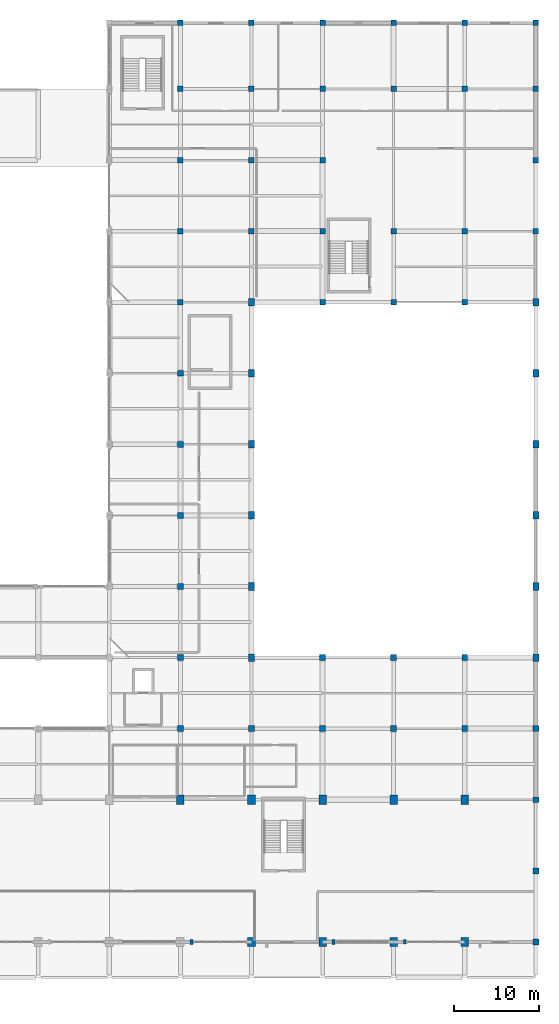
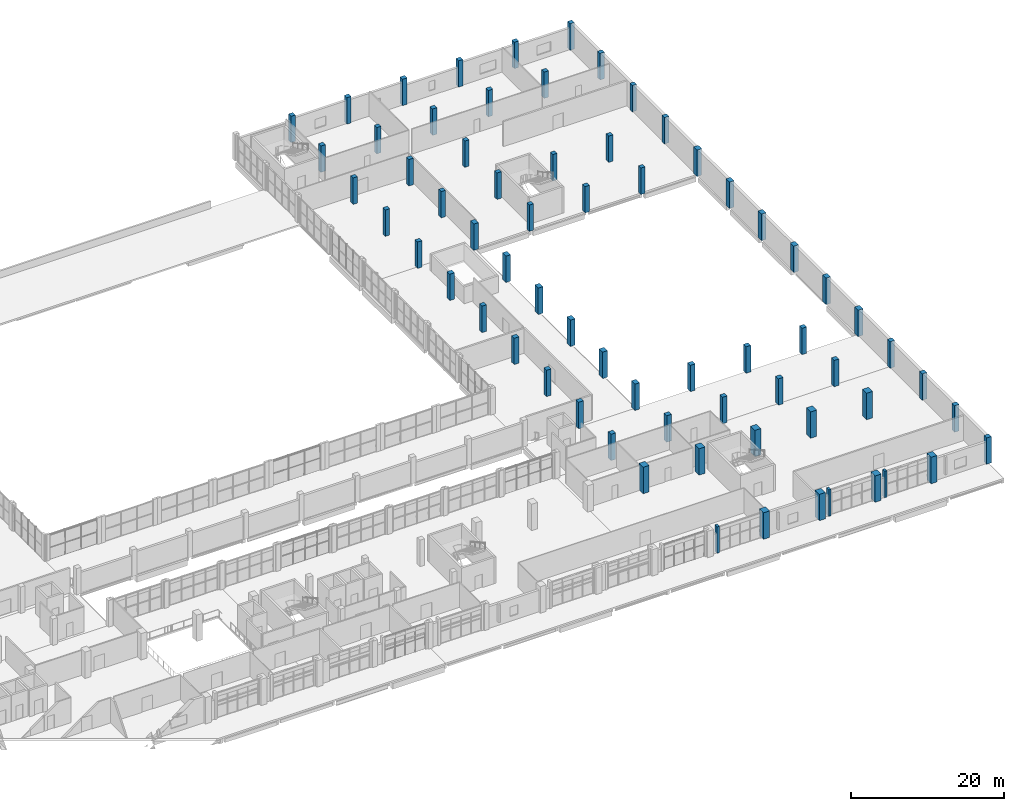
# One storey, part 8 of 59: 67 columns.
"""IFC4 building model written with IfcOpenShell, lengths in metres."""

from ifc_helpers import new_model, si_unit, derived_unit, direction, frame, origin, origin_2d, place, context, subcontext, project, spatial, rectangle, extrude, material, material_profile, profile_set, type_object, element, save


model = new_model("IFC4")

# Units and contexts
model_context = context("Model", 3, precision=1e-05, world=origin(), true_north=direction((0.0, 1.0)))
body_context = subcontext(model_context, "Body", "Model", "MODEL_VIEW")
ifc_project = project(units=[si_unit("LENGTHUNIT", "METRE"), si_unit("AREAUNIT", "SQUARE_METRE"), si_unit("VOLUMEUNIT", "CUBIC_METRE"), si_unit("PLANEANGLEUNIT", "RADIAN"), si_unit("MASSUNIT", "GRAM", prefix="KILO"), derived_unit("THERMALTRANSMITTANCEUNIT", [(si_unit("POWERUNIT", "WATT"), 1), (si_unit("LENGTHUNIT", "METRE"), -2), (si_unit("THERMODYNAMICTEMPERATUREUNIT", "KELVIN"), -1)])], contexts=[model_context])

# Site, building, storey
site_placement = place(None, origin())
site = spatial("IfcSite", under=ifc_project, at=site_placement, CompositionType="ELEMENT")
building_placement = place(site_placement, origin())
building = spatial("IfcBuilding", under=site, at=building_placement, Name="Barrovel Congress Hotel", CompositionType="ELEMENT")
storey_placement = place(building_placement, frame((0.0, 0.0, 9.89990234375)))
storey = spatial("IfcBuildingStorey", under=building, at=storey_placement, Name="L02", CompositionType="ELEMENT", Elevation=9.89990234375)

# Columns
ifc_material_1 = material(Name="Concrete C40", Category="concrete")
ifc_material_profile_1 = material_profile(ifc_material_1, rectangle(XDim=0.64990234375, YDim=0.64990234375, at=origin_2d()), Name="RC650x650")
ifc_profile_set_1 = profile_set([ifc_material_profile_1], Name="Concrete C40")
column_type_1 = type_object("IfcColumnType", Name="COL-RC650x650", PredefinedType="COLUMN", material=ifc_profile_set_1)
for number, where, z_axis, x_axis, name in (
    (1, (134.39990234375, 79.800048828125, 0.0), (0.0, 0.0, 1.0), (1.0, 0.0, 0.0), "COL:L02:134.4:79.8"),
    (2, (134.39990234375, 88.199951171875, 0.0), (0.0, 0.0, 1.0), (1.0, 0.0, 0.0), "COL:L02:134.4:88.2"),
    (3, (134.39990234375, 96.60009765625, 0.0), (0.0, 0.0, 1.0), (1.0, 0.0, 0.0), "COL:L02:134.4:96.6"),
    (4, (134.39990234375, 105.0, 0.0), (0.0, 0.0, 1.0), (1.0, 0.0, 0.0), "COL:L02:134.4:105.0"),
    (5, (134.39990234375, 112.800048828125, 0.0), (0.0, 0.0, 1.0), (1.0, 0.0, 0.0), "COL:L02:134.4:112.8"),
    (6, (142.800048828125, 88.199951171875, 0.0), (0.0, 0.0, 1.0), (1.0, 0.0, 0.0), "COL:L02:142.8:88.2"),
    (7, (142.800048828125, 96.60009765625, 0.0), (0.0, 0.0, 1.0), (1.0, 0.0, 0.0), "COL:L02:142.8:96.6"),
    (8, (142.800048828125, 105.0, 0.0), (0.0, 0.0, 1.0), (1.0, 0.0, 0.0), "COL:L02:142.8:105.0"),
    (9, (142.800048828125, 112.800048828125, 0.0), (0.0, 0.0, 1.0), (1.0, 0.0, 0.0), "COL:L02:142.8:112.8"),
    (10, (151.199951171875, 79.800048828125, 0.0), (0.0, 0.0, 1.0), (1.0, 0.0, 0.0), "COL:L02:151.2:79.8"),
    (11, (151.199951171875, 88.199951171875, 0.0), (0.0, 0.0, 1.0), (1.0, 0.0, 0.0), "COL:L02:151.2:88.2"),
    (12, (151.199951171875, 96.60009765625, 0.0), (0.0, 0.0, 1.0), (1.0, 0.0, 0.0), "COL:L02:151.2:96.6"),
    (13, (151.199951171875, 105.0, 0.0), (0.0, 0.0, 1.0), (1.0, 0.0, 0.0), "COL:L02:151.2:105.0"),
    (14, (151.199951171875, 112.800048828125, 0.0), (0.0, 0.0, 1.0), (1.0, 0.0, 0.0), "COL:L02:151.2:112.8"),
    (15, (159.60009765625, 79.800048828125, 0.0), (0.0, 0.0, 1.0), (1.0, 0.0, 0.0), "COL:L02:159.6:79.8"),
    (16, (159.60009765625, 88.199951171875, 0.0), (0.0, 0.0, 1.0), (1.0, 0.0, 0.0), "COL:L02:159.6:88.2"),
    (17, (159.60009765625, 105.0, 0.0), (0.0, 0.0, 1.0), (1.0, 0.0, 0.0), "COL:L02:159.6:105.0"),
    (18, (159.60009765625, 112.800048828125, 0.0), (0.0, 0.0, 1.0), (1.0, 0.0, 0.0), "COL:L02:159.6:112.8"),
    (19, (168.0, 79.800048828125, 0.0), (0.0, 0.0, 1.0), (1.0, 0.0, 0.0), "COL:L02:168.0:79.8"),
    (20, (168.0, 88.199951171875, 0.0), (0.0, 0.0, 1.0), (1.0, 0.0, 0.0), "COL:L02:168.0:88.2"),
    (21, (168.0, 105.0, 0.0), (0.0, 0.0, 1.0), (1.0, 0.0, 0.0), "COL:L02:168.0:105.0"),
    (22, (168.0, 112.800048828125, 0.0), (0.0, 0.0, 1.0), (1.0, 0.0, 0.0), "COL:L02:168.0:112.8"),
    (23, (176.39990234375, 88.199951171875, 0.0), (0.0, 0.0, 1.0), (1.0, 0.0, 0.0), "COL:L02:176.4:88.2"),
    (24, (176.39990234375, 96.60009765625, 0.0), (0.0, 0.0, 1.0), (1.0, 0.0, 0.0), "COL:L02:176.4:96.6"),
    (25, (176.39990234375, 105.0, 0.0), (0.0, 0.0, 1.0), (1.0, 0.0, 0.0), "COL:L02:176.4:105.0"),
    (26, (176.39990234375, 112.800048828125, 0.0), (0.0, 0.0, 1.0), (1.0, 0.0, 0.0), "COL:L02:176.4:112.8"),
):
    element("IfcColumn", number, at=place(storey_placement, frame(where, z_axis=z_axis, x_axis=x_axis)), inside=storey, type_object=column_type_1, Name=name, PredefinedType="COLUMN", context=body_context, shape_type="SweptSolid", body=[
        extrude(rectangle(XDim=0.64990234375, YDim=0.64990234375, at=origin_2d()), origin(), (0.0, 0.0, 1.0), 4.2001953125),
    ])
ifc_material_profile_2 = material_profile(ifc_material_1, rectangle(XDim=0.699951171875, YDim=0.699951171875, at=origin_2d()), Name="RC700x700")
ifc_profile_set_2 = profile_set([ifc_material_profile_2], Name="Concrete C40")
column_type_2 = type_object("IfcColumnType", Name="COL-RC700x700", PredefinedType="COLUMN", material=ifc_profile_set_2)
for number, where, z_axis, x_axis, name in (
    (27, (134.39990234375, 29.39990234375, 0.0), (0.0, 0.0, 1.0), (1.0, 0.0, 0.0), "COL:L02:134.4:29.4"),
    (28, (134.39990234375, 37.800048828125, 0.0), (0.0, 0.0, 1.0), (1.0, 0.0, 0.0), "COL:L02:134.4:37.8"),
    (29, (134.39990234375, 46.199951171875, 0.0), (0.0, 0.0, 1.0), (1.0, 0.0, 0.0), "COL:L02:134.4:46.2"),
    (30, (134.39990234375, 54.60009765625, 0.0), (0.0, 0.0, 1.0), (1.0, 0.0, 0.0), "COL:L02:134.4:54.6"),
    (31, (134.39990234375, 63.0, 0.0), (0.0, 0.0, 1.0), (1.0, 0.0, 0.0), "COL:L02:134.4:63.0"),
    (32, (134.39990234375, 71.39990234375, 0.0), (0.0, 0.0, 1.0), (1.0, 0.0, 0.0), "COL:L02:134.4:71.4"),
    (33, (142.800048828125, 29.39990234375, 0.0), (0.0, 0.0, 1.0), (1.0, 0.0, 0.0), "COL:L02:142.8:29.4"),
    (34, (151.199951171875, 29.39990234375, 0.0), (0.0, 0.0, 1.0), (1.0, 0.0, 0.0), "COL:L02:151.2:29.4"),
    (35, (151.199951171875, 37.800048828125, 0.0), (0.0, 0.0, 1.0), (1.0, 0.0, 0.0), "COL:L02:151.2:37.8"),
    (36, (159.60009765625, 29.39990234375, 0.0), (0.0, 0.0, 1.0), (1.0, 0.0, 0.0), "COL:L02:159.6:29.4"),
    (37, (159.60009765625, 37.800048828125, 0.0), (0.0, 0.0, 1.0), (1.0, 0.0, 0.0), "COL:L02:159.6:37.8"),
    (38, (168.0, 29.39990234375, 0.0), (0.0, 0.0, 1.0), (1.0, 0.0, 0.0), "COL:L02:168.0:29.4"),
    (39, (168.0, 37.800048828125, 0.0), (0.0, 0.0, 1.0), (1.0, 0.0, 0.0), "COL:L02:168.0:37.8"),
    (40, (176.39990234375, 4.199951171875, 0.0), (0.0, 0.0, 1.0), (1.0, 0.0, 0.0), "COL:L02:176.4:4.2"),
    (41, (176.39990234375, 12.60009765625, 0.0), (0.0, 0.0, 1.0), (1.0, 0.0, 0.0), "COL:L02:176.4:12.6"),
    (42, (176.39990234375, 21.0, 0.0), (0.0, 0.0, 1.0), (1.0, 0.0, 0.0), "COL:L02:176.4:21.0"),
    (43, (176.39990234375, 29.39990234375, 0.0), (0.0, 0.0, 1.0), (1.0, 0.0, 0.0), "COL:L02:176.4:29.4"),
):
    element("IfcColumn", number, at=place(storey_placement, frame(where, z_axis=z_axis, x_axis=x_axis)), inside=storey, type_object=column_type_2, Name=name, PredefinedType="COLUMN", context=body_context, shape_type="SweptSolid", body=[
        extrude(rectangle(XDim=0.699951171875, YDim=0.699951171875, at=origin_2d()), origin(), (0.0, 0.0, 1.0), 4.2001953125),
    ])
ifc_material_profile_3 = material_profile(ifc_material_1, rectangle(XDim=0.699951171875, YDim=0.89990234375, at=origin_2d()), Name="RC700x900")
ifc_profile_set_3 = profile_set([ifc_material_profile_3], Name="Concrete C40")
column_type_3 = type_object("IfcColumnType", Name="COL-RC700x900", PredefinedType="COLUMN", material=ifc_profile_set_3)
for number, where, z_axis, x_axis, name in (
    (44, (142.800048828125, 37.800048828125, 0.0), (0.0, 0.0, 1.0), (1.0, 0.0, 0.0), "COL:L02:142.8:37.8"),
    (45, (142.800048828125, 46.199951171875, 0.0), (0.0, 0.0, 1.0), (1.0, 0.0, 0.0), "COL:L02:142.8:46.2"),
    (46, (142.800048828125, 54.60009765625, 0.0), (0.0, 0.0, 1.0), (1.0, 0.0, 0.0), "COL:L02:142.8:54.6"),
    (47, (142.800048828125, 63.0, 0.0), (0.0, 0.0, 1.0), (1.0, 0.0, 0.0), "COL:L02:142.8:63.0"),
    (48, (142.800048828125, 71.39990234375, 0.0), (0.0, 0.0, 1.0), (1.0, 0.0, 0.0), "COL:L02:142.8:71.4"),
    (49, (142.800048828125, 79.800048828125, 0.0), (0.0, 0.0, 1.0), (1.0, 0.0, 0.0), "COL:L02:142.8:79.8"),
    (50, (176.39990234375, 37.800048828125, 0.0), (0.0, 0.0, 1.0), (1.0, 0.0, 0.0), "COL:L02:176.4:37.8"),
    (51, (176.39990234375, 46.199951171875, 0.0), (0.0, 0.0, 1.0), (1.0, 0.0, 0.0), "COL:L02:176.4:46.2"),
    (52, (176.39990234375, 54.60009765625, 0.0), (0.0, 0.0, 1.0), (1.0, 0.0, 0.0), "COL:L02:176.4:54.6"),
    (53, (176.39990234375, 63.0, 0.0), (0.0, 0.0, 1.0), (1.0, 0.0, 0.0), "COL:L02:176.4:63.0"),
    (54, (176.39990234375, 71.39990234375, 0.0), (0.0, 0.0, 1.0), (1.0, 0.0, 0.0), "COL:L02:176.4:71.4"),
    (55, (176.39990234375, 79.800048828125, 0.0), (0.0, 0.0, 1.0), (1.0, 0.0, 0.0), "COL:L02:176.4:79.8"),
):
    element("IfcColumn", number, at=place(storey_placement, frame(where, z_axis=z_axis, x_axis=x_axis)), inside=storey, type_object=column_type_3, Name=name, PredefinedType="COLUMN", context=body_context, shape_type="SweptSolid", body=[
        extrude(rectangle(XDim=0.699951171875, YDim=0.89990234375, at=origin_2d()), origin(), (0.0, 0.0, 1.0), 4.2001953125),
    ])
ifc_material_2 = material(Name="Concrete C50", Category="concrete")
ifc_material_profile_4 = material_profile(ifc_material_2, rectangle(XDim=0.89990234375, YDim=1.10009765625, at=origin_2d()), Name="RC900x1100")
ifc_profile_set_4 = profile_set([ifc_material_profile_4], Name="Concrete C50")
column_type_4 = type_object("IfcColumnType", Name="COL-RC900x1100", PredefinedType="COLUMN", material=ifc_profile_set_4)
for number, where, z_axis, x_axis, name in (
    (56, (134.39990234375, 21.0, 0.0), (0.0, 0.0, 1.0), (1.0, 0.0, 0.0), "COL:L02:134.4:21.0"),
    (57, (142.800048828125, 4.199951171875, 0.0), (0.0, 0.0, 1.0), (1.0, 0.0, 0.0), "COL:L02:142.8:4.2"),
    (58, (142.800048828125, 21.0, 0.0), (0.0, 0.0, 1.0), (1.0, 0.0, 0.0), "COL:L02:142.8:21.0"),
    (59, (151.199951171875, 4.199951171875, 0.0), (0.0, 0.0, 1.0), (1.0, 0.0, 0.0), "COL:L02:151.2:4.2"),
    (60, (151.199951171875, 21.0, 0.0), (0.0, 0.0, 1.0), (1.0, 0.0, 0.0), "COL:L02:151.2:21.0"),
    (61, (159.60009765625, 4.199951171875, 0.0), (0.0, 0.0, 1.0), (1.0, 0.0, 0.0), "COL:L02:159.6:4.2"),
    (62, (159.60009765625, 21.0, 0.0), (0.0, 0.0, 1.0), (1.0, 0.0, 0.0), "COL:L02:159.6:21.0"),
    (63, (168.0, 4.199951171875, 0.0), (0.0, 0.0, 1.0), (1.0, 0.0, 0.0), "COL:L02:168.0:4.2"),
    (64, (168.0, 21.0, 0.0), (0.0, 0.0, 1.0), (1.0, 0.0, 0.0), "COL:L02:168.0:21.0"),
):
    element("IfcColumn", number, at=place(storey_placement, frame(where, z_axis=z_axis, x_axis=x_axis)), inside=storey, type_object=column_type_4, Name=name, PredefinedType="COLUMN", context=body_context, shape_type="SweptSolid", body=[
        extrude(rectangle(XDim=0.89990234375, YDim=1.10009765625, at=origin_2d()), origin(), (0.0, 0.0, 1.0), 4.2001953125),
    ])
ifc_material_profile_5 = material_profile(ifc_material_1, rectangle(XDim=0.300048828125, YDim=0.550048828125, at=origin_2d()), Name="RC300x550")
ifc_profile_set_5 = profile_set([ifc_material_profile_5], Name="Concrete C40")
column_type_5 = type_object("IfcColumnType", Name="PIL-RC300x550", PredefinedType="PILASTER", material=ifc_profile_set_5)
column_placement = place(storey_placement, frame((160.89990234375, 4.199951171875, 0.0), z_axis=(0.0, 0.0, 1.0), x_axis=(1.0, 0.0, 0.0)))
element("IfcColumn", 65, at=column_placement, inside=storey, type_object=column_type_5, Name="PIL:L02:S:160.9", PredefinedType="PILASTER", context=body_context, shape_type="SweptSolid", body=[
    extrude(rectangle(XDim=0.300048828125, YDim=0.550048828125, at=origin_2d()), origin(), (0.0, 0.0, 1.0), 4.2001953125),
])
ifc_material_profile_6 = material_profile(ifc_material_1, rectangle(XDim=0.35009765625, YDim=0.60009765625, at=origin_2d()), Name="RC350x600")
ifc_profile_set_6 = profile_set([ifc_material_profile_6], Name="Concrete C40")
column_type_6 = type_object("IfcColumnType", Name="PIL-RC350x600", PredefinedType="PILASTER", material=ifc_profile_set_6)
for number, where, z_axis, x_axis, name in (
    (66, (135.699951171875, 4.199951171875, 0.0), (0.0, 0.0, 1.0), (1.0, 0.0, 0.0), "PIL:L02:S:135.7"),
    (67, (152.5, 4.199951171875, 0.0), (0.0, 0.0, 1.0), (1.0, 0.0, 0.0), "PIL:L02:S:152.5"),
):
    element("IfcColumn", number, at=place(storey_placement, frame(where, z_axis=z_axis, x_axis=x_axis)), inside=storey, type_object=column_type_6, Name=name, PredefinedType="PILASTER", context=body_context, shape_type="SweptSolid", body=[
        extrude(rectangle(XDim=0.35009765625, YDim=0.60009765625, at=origin_2d()), origin(), (0.0, 0.0, 1.0), 4.2001953125),
    ])

save(model, "model.ifc")
